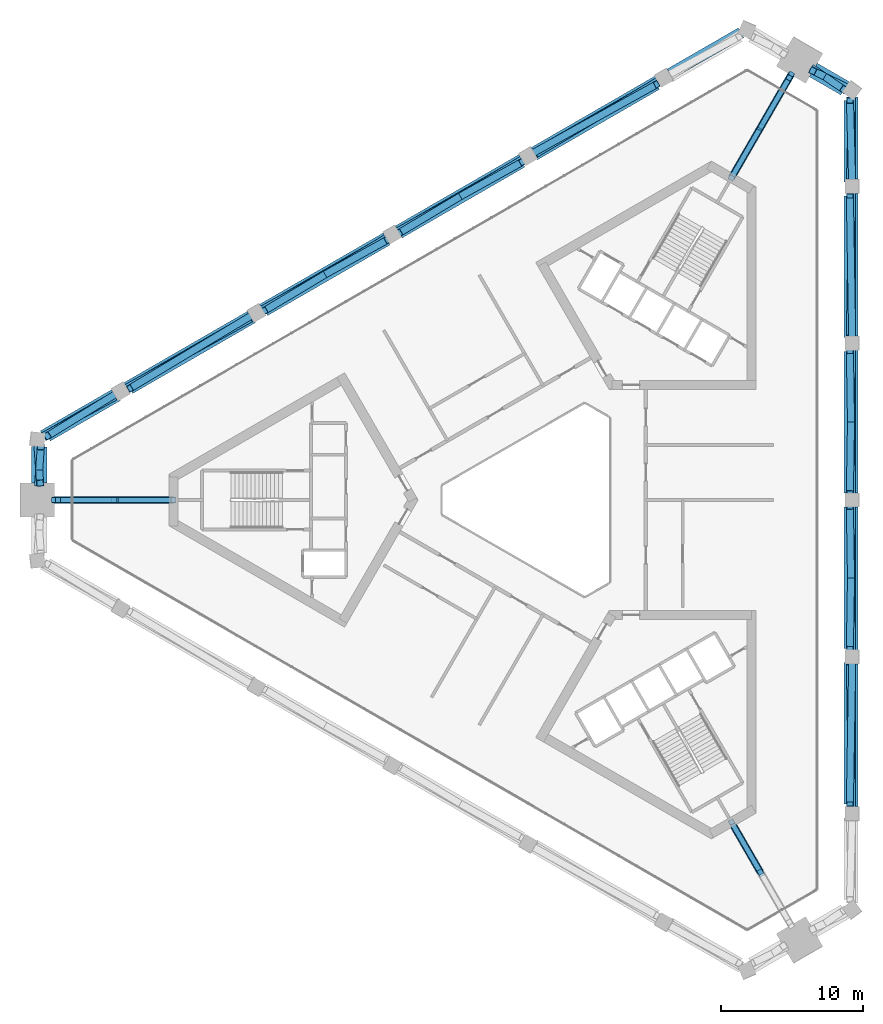
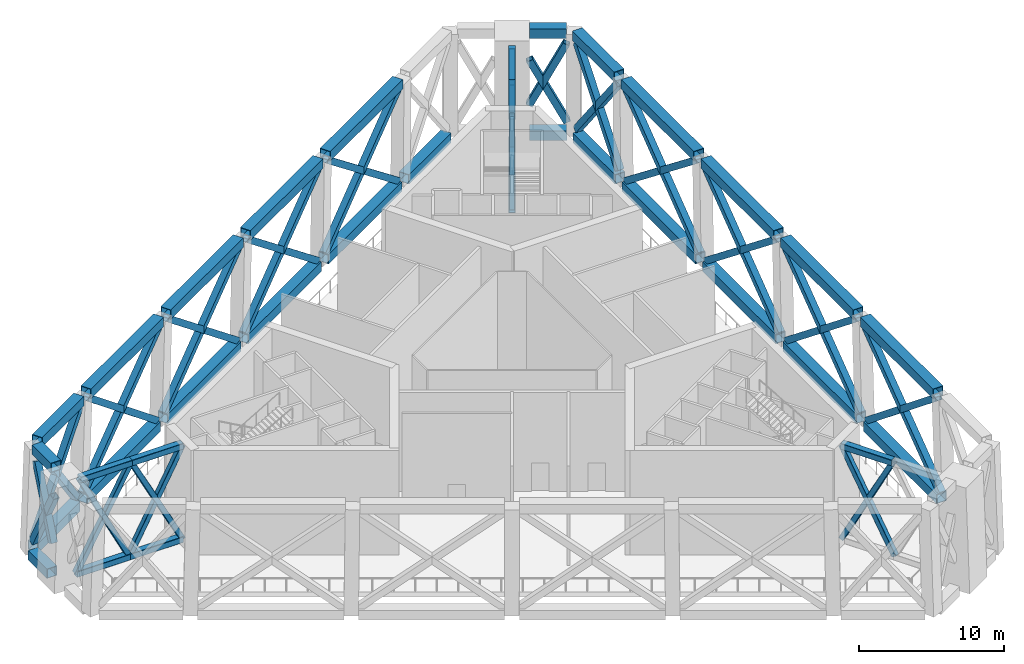
# One storey, part 2 of 8: 68 members.
"""IFC4 building model written with IfcOpenShell, lengths in metres."""

from ifc_helpers import new_model, si_unit, direction, frame, origin, origin_2d, place, context, subcontext, project, spatial, hollow_rectangle, extrude, material, material_profile, profile_set, type_object, element, save


model = new_model("IFC4")

# Units and contexts
model_context = context("Model", 3, precision=1e-05, world=origin(), true_north=direction((0.0, 1.0)))
body_context = subcontext(model_context, "Body", "Model", "MODEL_VIEW")
ifc_project = project(units=[si_unit("LENGTHUNIT", "METRE"), si_unit("AREAUNIT", "SQUARE_METRE"), si_unit("VOLUMEUNIT", "CUBIC_METRE"), si_unit("PLANEANGLEUNIT", "RADIAN"), si_unit("MASSUNIT", "GRAM", prefix="KILO")], contexts=[model_context])

# Site, building, storey
site_placement = place(None, origin())
site = spatial("IfcSite", under=ifc_project, at=site_placement, CompositionType="ELEMENT")
building_placement = place(site_placement, origin())
building = spatial("IfcBuilding", under=site, at=building_placement, Name="Jabali Bay Hotel Tower and Convention Centre", CompositionType="ELEMENT")
storey_placement = place(building_placement, frame((0.0, 0.0, 147.5)))
storey = spatial("IfcBuildingStorey", under=building, at=storey_placement, Name="L36", CompositionType="ELEMENT", Elevation=147.5)

# Members
ifc_material = material(Name="Steel Q420GJC", Category="steel")
ifc_material_profile_1 = material_profile(ifc_material, hollow_rectangle(XDim=0.5, YDim=0.5, WallThickness=0.030029296875, at=origin_2d()), Name="Belt brace 500x500x30")
ifc_profile_set_1 = profile_set([ifc_material_profile_1], Name="Steel Q420GJC")
member_type_1 = type_object("IfcMemberType", Name="Belt brace 500x500x30", PredefinedType="BRACE", material=ifc_profile_set_1)
member_1_placement = place(storey_placement, frame((82.935302734375, 109.603515625, 0.3935546875), z_axis=(-0.674235992286, -0.403678615509, 0.618424936501), x_axis=(0.513688059021, -0.85797702651, 0.0)))
element("IfcMember", 1, at=member_1_placement, inside=storey, type_object=member_type_1, Name="Belt brace T3 F1.1-F1.2 x1", PredefinedType="BRACE", context=body_context, shape_type="SweptSolid", body=[
    extrude(hollow_rectangle(XDim=0.5, YDim=0.5, WallThickness=0.030029296875, at=origin_2d()), origin(), (0.0, 0.0, 1.0), 12.95703125),
])
member_2_placement = place(storey_placement, frame((74.19970703125, 104.559814453125, 0.403564453125), z_axis=(0.680100698649, 0.378021327224, 0.628142432782), x_axis=(-0.485827163306, 0.874054899531, 0.0)))
element("IfcMember", 2, at=member_2_placement, inside=storey, type_object=member_type_1, Name="Belt brace T3 F1.1-F1.2 x2", PredefinedType="BRACE", context=body_context, shape_type="SweptSolid", body=[
    extrude(hollow_rectangle(XDim=0.5, YDim=0.5, WallThickness=0.030029296875, at=origin_2d()), origin(), (0.0, 0.0, 1.0), 12.724365234375),
])
member_3_placement = place(storey_placement, frame((73.333740234375, 104.06005859375, 0.396728515625), z_axis=(-0.671991516714, -0.402474580617, 0.621644282063), x_axis=(0.513819412398, -0.857898368948, 0.0)))
element("IfcMember", 3, at=member_3_placement, inside=storey, type_object=member_type_1, Name="Belt brace T3 F1.2-F1.3 x1", PredefinedType="BRACE", context=body_context, shape_type="SweptSolid", body=[
    extrude(hollow_rectangle(XDim=0.5, YDim=0.5, WallThickness=0.030029296875, at=origin_2d()), origin(), (0.0, 0.0, 1.0), 12.87939453125),
])
member_4_placement = place(storey_placement, frame((64.59814453125, 99.0166015625, 0.400146484375), z_axis=(0.682335261917, 0.379376040843, 0.624893918981), x_axis=(-0.485937417008, 0.873993607958, 0.0)))
element("IfcMember", 4, at=member_4_placement, inside=storey, type_object=member_type_1, Name="Belt brace T3 F1.2-F1.3 x2", PredefinedType="BRACE", context=body_context, shape_type="SweptSolid", body=[
    extrude(hollow_rectangle(XDim=0.5, YDim=0.5, WallThickness=0.030029296875, at=origin_2d()), origin(), (0.0, 0.0, 1.0), 12.8017578125),
])
member_5_placement = place(storey_placement, frame((63.732177734375, 98.5166015625, 0.400146484375), z_axis=(-0.669723943312, -0.401227918542, 0.624888787815), x_axis=(0.513924475199, -0.857835435146, 0.0)))
element("IfcMember", 5, at=member_5_placement, inside=storey, type_object=member_type_1, Name="Belt brace T3 F1.3-F1.4 x1", PredefinedType="BRACE", context=body_context, shape_type="SweptSolid", body=[
    extrude(hollow_rectangle(XDim=0.5, YDim=0.5, WallThickness=0.030029296875, at=origin_2d()), origin(), (0.0, 0.0, 1.0), 12.802001953125),
])
member_6_placement = place(storey_placement, frame((54.99658203125, 93.47314453125, 0.396728515625), z_axis=(0.684542449385, 0.380733138455, 0.621646131068), x_axis=(-0.48606409793, 0.873923161785, 0.0)))
element("IfcMember", 6, at=member_6_placement, inside=storey, type_object=member_type_1, Name="Belt brace T3 F1.3-F1.4 x2", PredefinedType="BRACE", context=body_context, shape_type="SweptSolid", body=[
    extrude(hollow_rectangle(XDim=0.5, YDim=0.5, WallThickness=0.030029296875, at=origin_2d()), origin(), (0.0, 0.0, 1.0), 12.879150390625),
])
member_7_placement = place(storey_placement, frame((54.130615234375, 92.97314453125, 0.403564453125), z_axis=(-0.667417396872, -0.399989951778, 0.628141748995), x_axis=(0.514060535128, -0.857753907729, 0.0)))
element("IfcMember", 7, at=member_7_placement, inside=storey, type_object=member_type_1, Name="Belt brace T3 F1.4-F1.5 x1", PredefinedType="BRACE", context=body_context, shape_type="SweptSolid", body=[
    extrude(hollow_rectangle(XDim=0.5, YDim=0.5, WallThickness=0.030029296875, at=origin_2d()), origin(), (0.0, 0.0, 1.0), 12.724365234375),
])
member_8_placement = place(storey_placement, frame((45.394775390625, 87.9296875, 0.3935546875), z_axis=(0.686721551989, 0.382062583265, 0.618418703228), x_axis=(-0.486178247297, 0.873859663707, 0.0)))
element("IfcMember", 8, at=member_8_placement, inside=storey, type_object=member_type_1, Name="Belt brace T3 F1.4-F1.5 x2", PredefinedType="BRACE", context=body_context, shape_type="SweptSolid", body=[
    extrude(hollow_rectangle(XDim=0.5, YDim=0.5, WallThickness=0.030029296875, at=origin_2d()), origin(), (0.0, 0.0, 1.0), 12.95703125),
])
member_9_placement = place(storey_placement, frame((44.53173828125, 87.4248046875, 0.671875), z_axis=(-0.508670400837, -0.312379266454, 0.802292725382), x_axis=(0.52330900872, -0.852142993512, 0.0)))
element("IfcMember", 9, at=member_9_placement, inside=storey, type_object=member_type_1, Name="Belt brace T3 F1.5-V3 x1", PredefinedType="BRACE", context=body_context, shape_type="SweptSolid", body=[
    extrude(hollow_rectangle(XDim=0.5, YDim=0.5, WallThickness=0.030029296875, at=origin_2d()), origin(), (0.0, 0.0, 1.0), 9.29345703125),
])
member_10_placement = place(storey_placement, frame((39.507568359375, 84.525146484375, 0.62939453125), z_axis=(0.546401618231, 0.29721915907, 0.783010883115), x_axis=(-0.477838158357, 0.878447889415, 0.0)))
element("IfcMember", 10, at=member_10_placement, inside=storey, type_object=member_type_1, Name="Belt brace T3 F1.5-V3 x2", PredefinedType="BRACE", context=body_context, shape_type="SweptSolid", body=[
    extrude(hollow_rectangle(XDim=0.5, YDim=0.5, WallThickness=0.030029296875, at=origin_2d()), origin(), (0.0, 0.0, 1.0), 9.631103515625),
])
member_11_placement = place(storey_placement, frame((39.104248046875, 83.78759765625, 1.02392578125), z_axis=(0.031676253401, -0.437693230588, 0.898566219523), x_axis=(0.997391468623, 0.072182119101, 0.0)))
element("IfcMember", 11, at=member_11_placement, inside=storey, type_object=member_type_1, Name="Belt brace T3 V3-M0 x1", PredefinedType="BRACE", context=body_context, shape_type="SweptSolid", body=[
    extrude(hollow_rectangle(XDim=0.5, YDim=0.5, WallThickness=0.030029296875, at=origin_2d()), origin(), (0.0, 0.0, 1.0), 5.919189453125),
])
member_12_placement = place(storey_placement, frame((39.1552734375, 81.19677734375, 2.472412109375), z_axis=(0.031717834213, 0.435508667413, 0.899625577449), x_axis=(-0.997358443091, 0.072637015324, 0.0)))
element("IfcMember", 12, at=member_12_placement, inside=storey, type_object=member_type_1, Name="Belt brace T3 V3-M0 x2", PredefinedType="BRACE", context=body_context, shape_type="SweptSolid", body=[
    extrude(hollow_rectangle(XDim=0.5, YDim=0.5, WallThickness=0.030029296875, at=origin_2d()), origin(), (0.0, 0.0, 1.0), 5.888427734375),
])
member_13_placement = place(storey_placement, frame((96.669921875, 58.325927734375, 0.3935546875), z_axis=(-0.012492476758, 0.785744756114, 0.618424705412), x_axis=(-0.999873636456, -0.015896890266, 0.0)))
element("IfcMember", 13, at=member_13_placement, inside=storey, type_object=member_type_1, Name="Belt brace T3 F0.1-F0.2 x1", PredefinedType="BRACE", context=body_context, shape_type="SweptSolid", body=[
    extrude(hollow_rectangle(XDim=0.5, YDim=0.5, WallThickness=0.030029296875, at=origin_2d()), origin(), (0.0, 0.0, 1.0), 12.95703125),
])
member_14_placement = place(storey_placement, frame((96.669677734375, 68.4130859375, 0.403564453125), z_axis=(-0.012682599736, -0.777994030412, 0.628143646237), x_axis=(0.999867154301, -0.016299501554, 0.0)))
element("IfcMember", 14, at=member_14_placement, inside=storey, type_object=member_type_1, Name="Belt brace T3 F0.1-F0.2 x2", PredefinedType="BRACE", context=body_context, shape_type="SweptSolid", body=[
    extrude(hollow_rectangle(XDim=0.5, YDim=0.5, WallThickness=0.030029296875, at=origin_2d()), origin(), (0.0, 0.0, 1.0), 12.724365234375),
])
member_15_placement = place(storey_placement, frame((96.669677734375, 69.4130859375, 0.396728515625), z_axis=(-0.012549009825, 0.783194697806, 0.621649891564), x_axis=(-0.999871658878, -0.016020791901, 0.0)))
element("IfcMember", 15, at=member_15_placement, inside=storey, type_object=member_type_1, Name="Belt brace T3 F0.2-F0.3 x1", PredefinedType="BRACE", context=body_context, shape_type="SweptSolid", body=[
    extrude(hollow_rectangle(XDim=0.5, YDim=0.5, WallThickness=0.030029296875, at=origin_2d()), origin(), (0.0, 0.0, 1.0), 12.879150390625),
])
for number, where, z_axis, x_axis, name in (
    (16, (96.669677734375, 79.5, 0.400146484375), (-0.012605825576, -0.780607643656, 0.624894230912), (0.999869634684, -0.016146629252, 0.0), "Belt brace T3 F0.2-F0.3 x2"),
    (17, (96.669677734375, 80.5, 0.400146484375), (-0.012605825576, 0.780607643656, 0.624894230912), (-0.999869634684, -0.016146629252, 0.0), "Belt brace T3 F0.3-F0.4 x1"),
):
    element("IfcMember", number, at=place(storey_placement, frame(where, z_axis=z_axis, x_axis=x_axis)), inside=storey, type_object=member_type_1, Name=name, PredefinedType="BRACE", context=body_context, shape_type="SweptSolid", body=[
        extrude(hollow_rectangle(XDim=0.5, YDim=0.5, WallThickness=0.030029296875, at=origin_2d()), origin(), (0.0, 0.0, 1.0), 12.8017578125),
    ])
member_16_placement = place(storey_placement, frame((96.669677734375, 90.5869140625, 0.396728515625), z_axis=(-0.012549009825, -0.783194697806, 0.621649891564), x_axis=(0.999871658878, -0.016020791901, 0.0)))
element("IfcMember", 18, at=member_16_placement, inside=storey, type_object=member_type_1, Name="Belt brace T3 F0.3-F0.4 x2", PredefinedType="BRACE", context=body_context, shape_type="SweptSolid", body=[
    extrude(hollow_rectangle(XDim=0.5, YDim=0.5, WallThickness=0.030029296875, at=origin_2d()), origin(), (0.0, 0.0, 1.0), 12.879150390625),
])
member_17_placement = place(storey_placement, frame((96.669677734375, 91.5869140625, 0.403564453125), z_axis=(-0.012682599736, 0.777994030412, 0.628143646237), x_axis=(-0.999867154301, -0.016299501554, 0.0)))
element("IfcMember", 19, at=member_17_placement, inside=storey, type_object=member_type_1, Name="Belt brace T3 F0.4-F0.5 x1", PredefinedType="BRACE", context=body_context, shape_type="SweptSolid", body=[
    extrude(hollow_rectangle(XDim=0.5, YDim=0.5, WallThickness=0.030029296875, at=origin_2d()), origin(), (0.0, 0.0, 1.0), 12.724365234375),
])
member_18_placement = place(storey_placement, frame((96.669921875, 101.674072265625, 0.3935546875), z_axis=(-0.012492476758, -0.785744756114, 0.618424705412), x_axis=(0.999873636456, -0.015896890266, 0.0)))
element("IfcMember", 20, at=member_18_placement, inside=storey, type_object=member_type_1, Name="Belt brace T3 F0.4-F0.5 x2", PredefinedType="BRACE", context=body_context, shape_type="SweptSolid", body=[
    extrude(hollow_rectangle(XDim=0.5, YDim=0.5, WallThickness=0.030029296875, at=origin_2d()), origin(), (0.0, 0.0, 1.0), 12.95703125),
])
member_19_placement = place(storey_placement, frame((96.664306640625, 102.673828125, 0.671875), z_axis=(-0.016208560649, 0.596721969435, 0.802284347196), x_axis=(-0.999631298749, -0.027152652931, 0.0)))
element("IfcMember", 21, at=member_19_placement, inside=storey, type_object=member_type_1, Name="Belt brace T3 F0.5-V1 x1", PredefinedType="BRACE", context=body_context, shape_type="SweptSolid", body=[
    extrude(hollow_rectangle(XDim=0.5, YDim=0.5, WallThickness=0.030029296875, at=origin_2d()), origin(), (0.0, 0.0, 1.0), 9.29345703125),
])
member_20_placement = place(storey_placement, frame((96.6650390625, 108.474853515625, 0.62939453125), z_axis=(-0.01579246236, -0.621812362265, 0.783007014187), x_axis=(0.999677640137, -0.025389285357, 0.0)))
element("IfcMember", 22, at=member_20_placement, inside=storey, type_object=member_type_1, Name="Belt brace T3 F0.5-V1 x2", PredefinedType="BRACE", context=body_context, shape_type="SweptSolid", body=[
    extrude(hollow_rectangle(XDim=0.5, YDim=0.5, WallThickness=0.030029296875, at=origin_2d()), origin(), (0.0, 0.0, 1.0), 9.631103515625),
])
member_21_placement = place(storey_placement, frame((96.227783203125, 109.19287109375, 1.02392578125), z_axis=(-0.394847326902, 0.191422380043, 0.898583919763), x_axis=(-0.436238912598, -0.899830879185, 0.0)))
element("IfcMember", 23, at=member_21_placement, inside=storey, type_object=member_type_1, Name="Belt brace T3 V1-M1 x1", PredefinedType="BRACE", context=body_context, shape_type="SweptSolid", body=[
    extrude(hollow_rectangle(XDim=0.5, YDim=0.5, WallThickness=0.030029296875, at=origin_2d()), origin(), (0.0, 0.0, 1.0), 5.919189453125),
])
member_22_placement = place(storey_placement, frame((93.958740234375, 110.44384765625, 2.472412109375), z_axis=(0.361332250692, -0.24520010678, 0.899619870971), x_axis=(0.561517671197, 0.827464745432, 0.0)))
element("IfcMember", 24, at=member_22_placement, inside=storey, type_object=member_type_1, Name="Belt brace T3 V1-M1 x2", PredefinedType="BRACE", context=body_context, shape_type="SweptSolid", body=[
    extrude(hollow_rectangle(XDim=0.5, YDim=0.5, WallThickness=0.030029296875, at=origin_2d()), origin(), (0.0, 0.0, 1.0), 5.888427734375),
])
ifc_material_profile_2 = material_profile(ifc_material, hollow_rectangle(XDim=0.800048828125, YDim=0.800048828125, WallThickness=0.0400390625, at=origin_2d()), Name="Belt chord 800x800x40")
ifc_profile_set_2 = profile_set([ifc_material_profile_2], Name="Steel Q420GJC")
member_type_2 = type_object("IfcMemberType", Name="Belt chord 800x800x40", PredefinedType="CHORD", material=ifc_profile_set_2)
member_23_placement = place(storey_placement, frame((88.82080078125, 113.010986328125, 0.0), z_axis=(-0.866017369001, -0.500013916395, 0.0), x_axis=(0.500013916395, -0.866017369001, 0.0)))
element("IfcMember", 25, at=member_23_placement, inside=storey, type_object=member_type_2, Name="Belt chord T3 V2-F1.1", PredefinedType="CHORD", context=body_context, shape_type="SweptSolid", body=[
    extrude(hollow_rectangle(XDim=0.800048828125, YDim=0.800048828125, WallThickness=0.0400390625, at=origin_2d()), origin(), (0.0, 0.0, 1.0), 5.800537109375),
])
for number, where, z_axis, x_axis, name in (
    (26, (82.93115234375, 109.610595703125, 0.0), (-0.866010653431, -0.500025547491, 0.0), (0.500025547491, -0.866010653431, 0.0), "Belt chord T3 F1.1-F1.2"),
    (27, (73.32958984375, 104.06689453125, 0.0), (-0.866027185264, -0.499996914373, 0.0), (0.499996914373, -0.866027185264, 0.0), "Belt chord T3 F1.2-F1.3"),
    (28, (63.72802734375, 98.5234375, 0.0), (-0.866027185264, -0.499996914373, 0.0), (0.499996914373, -0.866027185264, 0.0), "Belt chord T3 F1.3-F1.4"),
    (29, (54.12646484375, 92.97998046875, 0.0), (-0.866027185264, -0.499996914373, 0.0), (0.499996914373, -0.866027185264, 0.0), "Belt chord T3 F1.4-F1.5"),
):
    element("IfcMember", number, at=place(storey_placement, frame(where, z_axis=z_axis, x_axis=x_axis)), inside=storey, type_object=member_type_2, Name=name, PredefinedType="CHORD", context=body_context, shape_type="SweptSolid", body=[
        extrude(hollow_rectangle(XDim=0.800048828125, YDim=0.800048828125, WallThickness=0.0400390625, at=origin_2d()), origin(), (0.0, 0.0, 1.0), 10.0869140625),
    ])
member_24_placement = place(storey_placement, frame((44.52490234375, 87.4365234375, 0.0), z_axis=(-0.86602789119, -0.499995691662, 0.0), x_axis=(0.499995691662, -0.86602789119, 0.0)))
element("IfcMember", 30, at=member_24_placement, inside=storey, type_object=member_type_2, Name="Belt chord T3 F1.5-V3", PredefinedType="CHORD", context=body_context, shape_type="SweptSolid", body=[
    extrude(hollow_rectangle(XDim=0.800048828125, YDim=0.800048828125, WallThickness=0.0400390625, at=origin_2d()), origin(), (0.0, 0.0, 1.0), 5.80078125),
])
member_25_placement = place(storey_placement, frame((39.068359375, 83.7861328125, 0.0), z_axis=(0.0, -1.0, 0.0), x_axis=(1.0, 0.0, 0.0)))
element("IfcMember", 31, at=member_25_placement, inside=storey, type_object=member_type_2, Name="Belt chord T3 V3-M0", PredefinedType="CHORD", context=body_context, shape_type="SweptSolid", body=[
    extrude(hollow_rectangle(XDim=0.800048828125, YDim=0.800048828125, WallThickness=0.0400390625, at=origin_2d()), origin(), (0.0, 0.0, 1.0), 2.586181640625),
])
for number, where, z_axis, x_axis, name in (
    (32, (96.677734375, 58.326171875, 0.0), (0.0, 1.0, 0.0), (-1.0, 0.0, 0.0), "Belt chord T3 F0.1-F0.2"),
    (33, (96.677734375, 69.4130859375, 0.0), (0.0, 1.0, 0.0), (-1.0, 0.0, 0.0), "Belt chord T3 F0.2-F0.3"),
    (34, (96.677734375, 80.5, 0.0), (0.0, 1.0, 0.0), (-1.0, 0.0, 0.0), "Belt chord T3 F0.3-F0.4"),
    (35, (96.677734375, 91.5869140625, 0.0), (0.0, 1.0, 0.0), (-1.0, 0.0, 0.0), "Belt chord T3 F0.4-F0.5"),
):
    element("IfcMember", number, at=place(storey_placement, frame(where, z_axis=z_axis, x_axis=x_axis)), inside=storey, type_object=member_type_2, Name=name, PredefinedType="CHORD", context=body_context, shape_type="SweptSolid", body=[
        extrude(hollow_rectangle(XDim=0.800048828125, YDim=0.800048828125, WallThickness=0.0400390625, at=origin_2d()), origin(), (0.0, 0.0, 1.0), 10.0869140625),
    ])
member_26_placement = place(storey_placement, frame((96.677734375, 102.673828125, 0.0), z_axis=(0.0, 1.0, 0.0), x_axis=(-1.0, 0.0, 0.0)))
element("IfcMember", 36, at=member_26_placement, inside=storey, type_object=member_type_2, Name="Belt chord T3 F0.5-V1", PredefinedType="CHORD", context=body_context, shape_type="SweptSolid", body=[
    extrude(hollow_rectangle(XDim=0.800048828125, YDim=0.800048828125, WallThickness=0.0400390625, at=origin_2d()), origin(), (0.0, 0.0, 1.0), 5.80078125),
])
member_27_placement = place(storey_placement, frame((96.244873046875, 109.224609375, 0.0), z_axis=(-0.866009517829, 0.500027514273, 0.0), x_axis=(-0.500027514273, -0.866009517829, 0.0)))
element("IfcMember", 37, at=member_27_placement, inside=storey, type_object=member_type_2, Name="Belt chord T3 V1-M1", PredefinedType="CHORD", context=body_context, shape_type="SweptSolid", body=[
    extrude(hollow_rectangle(XDim=0.800048828125, YDim=0.800048828125, WallThickness=0.0400390625, at=origin_2d()), origin(), (0.0, 0.0, 1.0), 2.586181640625),
])
member_28_placement = place(storey_placement, frame((82.857421875, 109.36279296875, 8.800048828125), z_axis=(-0.86601836852, -0.500012185238, 0.0), x_axis=(0.500012185238, -0.86601836852, 0.0)))
element("IfcMember", 38, at=member_28_placement, inside=storey, type_object=member_type_2, Name="Belt chord T3 F1.1-F1.2", PredefinedType="CHORD", context=body_context, shape_type="SweptSolid", body=[
    extrude(hollow_rectangle(XDim=0.800048828125, YDim=0.800048828125, WallThickness=0.0400390625, at=origin_2d()), origin(), (0.0, 0.0, 1.0), 9.992919921875),
])
for number, where, z_axis, x_axis, name in (
    (39, (73.337158203125, 103.8662109375, 8.800048828125), (-0.866024476463, -0.500001606164, 0.0), (0.500001606164, -0.866024476463, 0.0), "Belt chord T3 F1.2-F1.3"),
    (40, (63.81689453125, 98.36962890625, 8.800048828125), (-0.866024476463, -0.500001606164, 0.0), (0.500001606164, -0.866024476463, 0.0), "Belt chord T3 F1.3-F1.4"),
    (41, (54.296630859375, 92.873046875, 8.800048828125), (-0.866024476463, -0.500001606164, 0.0), (0.500001606164, -0.866024476463, 0.0), "Belt chord T3 F1.4-F1.5"),
):
    element("IfcMember", number, at=place(storey_placement, frame(where, z_axis=z_axis, x_axis=x_axis)), inside=storey, type_object=member_type_2, Name=name, PredefinedType="CHORD", context=body_context, shape_type="SweptSolid", body=[
        extrude(hollow_rectangle(XDim=0.800048828125, YDim=0.800048828125, WallThickness=0.0400390625, at=origin_2d()), origin(), (0.0, 0.0, 1.0), 9.9931640625),
    ])
member_29_placement = place(storey_placement, frame((44.7763671875, 87.37646484375, 8.800048828125), z_axis=(-0.866035958826, -0.499981717686, 0.0), x_axis=(0.499981717686, -0.866035958826, 0.0)))
element("IfcMember", 42, at=member_29_placement, inside=storey, type_object=member_type_2, Name="Belt chord T3 F1.5-V3", PredefinedType="CHORD", context=body_context, shape_type="SweptSolid", body=[
    extrude(hollow_rectangle(XDim=0.800048828125, YDim=0.800048828125, WallThickness=0.0400390625, at=origin_2d()), origin(), (0.0, 0.0, 1.0), 5.733154296875),
])
member_30_placement = place(storey_placement, frame((39.378173828125, 83.760009765625, 8.800048828125), z_axis=(0.0, -1.0, 0.0), x_axis=(1.0, 0.0, 0.0)))
element("IfcMember", 43, at=member_30_placement, inside=storey, type_object=member_type_2, Name="Belt chord T3 V3-M0", PredefinedType="CHORD", context=body_context, shape_type="SweptSolid", body=[
    extrude(hollow_rectangle(XDim=0.800048828125, YDim=0.800048828125, WallThickness=0.0400390625, at=origin_2d()), origin(), (0.0, 0.0, 1.0), 2.56005859375),
])
for number, where, z_axis, x_axis, name in (
    (44, (96.500244140625, 58.513671875, 8.800048828125), (0.0, 1.0, 0.0), (-1.0, 0.0, 0.0), "Belt chord T3 F0.1-F0.2"),
    (45, (96.500244140625, 69.5068359375, 8.800048828125), (0.0, 1.0, 0.0), (-1.0, 0.0, 0.0), "Belt chord T3 F0.2-F0.3"),
    (46, (96.500244140625, 80.5, 8.800048828125), (0.0, 1.0, 0.0), (-1.0, 0.0, 0.0), "Belt chord T3 F0.3-F0.4"),
    (47, (96.500244140625, 91.4931640625, 8.800048828125), (0.0, 1.0, 0.0), (-1.0, 0.0, 0.0), "Belt chord T3 F0.4-F0.5"),
):
    element("IfcMember", number, at=place(storey_placement, frame(where, z_axis=z_axis, x_axis=x_axis)), inside=storey, type_object=member_type_2, Name=name, PredefinedType="CHORD", context=body_context, shape_type="SweptSolid", body=[
        extrude(hollow_rectangle(XDim=0.800048828125, YDim=0.800048828125, WallThickness=0.0400390625, at=origin_2d()), origin(), (0.0, 0.0, 1.0), 9.9931640625),
    ])
member_31_placement = place(storey_placement, frame((96.500244140625, 102.486328125, 8.800048828125), z_axis=(0.0, 1.0, 0.0), x_axis=(-1.0, 0.0, 0.0)))
element("IfcMember", 48, at=member_31_placement, inside=storey, type_object=member_type_2, Name="Belt chord T3 F0.5-V1", PredefinedType="CHORD", context=body_context, shape_type="SweptSolid", body=[
    extrude(hollow_rectangle(XDim=0.800048828125, YDim=0.800048828125, WallThickness=0.0400390625, at=origin_2d()), origin(), (0.0, 0.0, 1.0), 5.73291015625),
])
member_32_placement = place(storey_placement, frame((96.067138671875, 108.96923828125, 8.800048828125), z_axis=(-0.866022009101, 0.500005879718, 0.0), x_axis=(-0.500005879718, -0.866022009101, 0.0)))
element("IfcMember", 49, at=member_32_placement, inside=storey, type_object=member_type_2, Name="Belt chord T3 V1-M1", PredefinedType="CHORD", context=body_context, shape_type="SweptSolid", body=[
    extrude(hollow_rectangle(XDim=0.800048828125, YDim=0.800048828125, WallThickness=0.0400390625, at=origin_2d()), origin(), (0.0, 0.0, 1.0), 2.56005859375),
])
ifc_material_profile_3 = material_profile(ifc_material, hollow_rectangle(XDim=0.39990234375, YDim=0.39990234375, WallThickness=0.011962890625, InnerFilletRadius=0.01806640625, OuterFilletRadius=0.030029296875, at=origin_2d()), Name="Outrigger brace 400x400x12")
ifc_profile_set_3 = profile_set([ifc_material_profile_3], Name="Steel Q420GJC")
member_type_3 = type_object("IfcMemberType", Name="Outrigger brace 400x400x12", PredefinedType="BRACE", material=ifc_profile_set_3)
member_33_placement = place(storey_placement, frame((48.721923828125, 80.0, 0.25), z_axis=(-0.461546443565, 0.0, 0.887116046768), x_axis=(0.0, -1.0, 0.0)))
element("IfcMember", 50, at=member_33_placement, inside=storey, type_object=member_type_3, Name="Outrigger brace T3 1.1x1", PredefinedType="BRACE", context=body_context, shape_type="SweptSolid", body=[
    extrude(hollow_rectangle(XDim=0.39990234375, YDim=0.39990234375, WallThickness=0.011962890625, InnerFilletRadius=0.01806640625, OuterFilletRadius=0.030029296875, at=origin_2d()), origin(), (0.0, 0.0, 1.0), 8.84912109375),
])
member_34_placement = place(storey_placement, frame((44.49951171875, 80.0, 0.25), z_axis=(0.47370287716, 0.0, 0.880684724615), x_axis=(0.0, 1.0, 0.0)))
element("IfcMember", 51, at=member_34_placement, inside=storey, type_object=member_type_3, Name="Outrigger brace T3 1.1x2", PredefinedType="BRACE", context=body_context, shape_type="SweptSolid", body=[
    extrude(hollow_rectangle(XDim=0.39990234375, YDim=0.39990234375, WallThickness=0.011962890625, InnerFilletRadius=0.01806640625, OuterFilletRadius=0.030029296875, at=origin_2d()), origin(), (0.0, 0.0, 1.0), 8.91357421875),
])
member_35_placement = place(storey_placement, frame((44.49951171875, 80.0, 0.25), z_axis=(-0.449102149958, 0.0, 0.893480418869), x_axis=(0.0, -1.0, 0.0)))
element("IfcMember", 52, at=member_35_placement, inside=storey, type_object=member_type_3, Name="Outrigger brace T3 1.2x1", PredefinedType="BRACE", context=body_context, shape_type="SweptSolid", body=[
    extrude(hollow_rectangle(XDim=0.39990234375, YDim=0.39990234375, WallThickness=0.011962890625, InnerFilletRadius=0.01806640625, OuterFilletRadius=0.030029296875, at=origin_2d()), origin(), (0.0, 0.0, 1.0), 8.785888671875),
])
member_36_placement = place(storey_placement, frame((40.277099609375, 80.0, 0.25), z_axis=(0.485594454754, 0.0, 0.874184205709), x_axis=(0.0, 1.0, 0.0)))
element("IfcMember", 53, at=member_36_placement, inside=storey, type_object=member_type_3, Name="Outrigger brace T3 1.2x2", PredefinedType="BRACE", context=body_context, shape_type="SweptSolid", body=[
    extrude(hollow_rectangle(XDim=0.39990234375, YDim=0.39990234375, WallThickness=0.011962890625, InnerFilletRadius=0.01806640625, OuterFilletRadius=0.030029296875, at=origin_2d()), origin(), (0.0, 0.0, 1.0), 8.97998046875),
])
member_37_placement = place(storey_placement, frame((88.13916015625, 102.757568359375, 0.25), z_axis=(0.230762042116, 0.399695086578, 0.887126100216), x_axis=(-0.866027302461, 0.499996711381, 0.0)))
element("IfcMember", 54, at=member_37_placement, inside=storey, type_object=member_type_3, Name="Outrigger brace T3 2.1x1", PredefinedType="BRACE", context=body_context, shape_type="SweptSolid", body=[
    extrude(hollow_rectangle(XDim=0.39990234375, YDim=0.39990234375, WallThickness=0.011962890625, InnerFilletRadius=0.01806640625, OuterFilletRadius=0.030029296875, at=origin_2d()), origin(), (0.0, 0.0, 1.0), 8.848876953125),
])
member_38_placement = place(storey_placement, frame((90.250244140625, 106.414306640625, 0.25), z_axis=(-0.236838270768, -0.410242120916, 0.880686684199), x_axis=(0.866039232254, -0.499976047623, 0.0)))
element("IfcMember", 55, at=member_38_placement, inside=storey, type_object=member_type_3, Name="Outrigger brace T3 2.1x2", PredefinedType="BRACE", context=body_context, shape_type="SweptSolid", body=[
    extrude(hollow_rectangle(XDim=0.39990234375, YDim=0.39990234375, WallThickness=0.011962890625, InnerFilletRadius=0.01806640625, OuterFilletRadius=0.030029296875, at=origin_2d()), origin(), (0.0, 0.0, 1.0), 8.91357421875),
])
member_39_placement = place(storey_placement, frame((90.250244140625, 106.414306640625, 0.25), z_axis=(0.224550353175, 0.388940885211, 0.893477546836), x_axis=(-0.866030004343, 0.499992031514, 0.0)))
element("IfcMember", 56, at=member_39_placement, inside=storey, type_object=member_type_3, Name="Outrigger brace T3 2.2x1", PredefinedType="BRACE", context=body_context, shape_type="SweptSolid", body=[
    extrude(hollow_rectangle(XDim=0.39990234375, YDim=0.39990234375, WallThickness=0.011962890625, InnerFilletRadius=0.01806640625, OuterFilletRadius=0.030029296875, at=origin_2d()), origin(), (0.0, 0.0, 1.0), 8.785888671875),
])
member_40_placement = place(storey_placement, frame((92.361572265625, 110.07080078125, 0.25), z_axis=(-0.242810241025, -0.420533961277, 0.874182117334), x_axis=(0.866012165801, -0.500022928159, 0.0)))
element("IfcMember", 57, at=member_40_placement, inside=storey, type_object=member_type_3, Name="Outrigger brace T3 2.2x2", PredefinedType="BRACE", context=body_context, shape_type="SweptSolid", body=[
    extrude(hollow_rectangle(XDim=0.39990234375, YDim=0.39990234375, WallThickness=0.011962890625, InnerFilletRadius=0.01806640625, OuterFilletRadius=0.030029296875, at=origin_2d()), origin(), (0.0, 0.0, 1.0), 8.97998046875),
])
member_41_placement = place(storey_placement, frame((88.13916015625, 57.242431640625, 0.25), z_axis=(0.230762042116, -0.399695086578, 0.887126100216), x_axis=(0.866027302461, 0.499996711381, 0.0)))
element("IfcMember", 58, at=member_41_placement, inside=storey, type_object=member_type_3, Name="Outrigger brace T3 3.1x1", PredefinedType="BRACE", context=body_context, shape_type="SweptSolid", body=[
    extrude(hollow_rectangle(XDim=0.39990234375, YDim=0.39990234375, WallThickness=0.011962890625, InnerFilletRadius=0.01806640625, OuterFilletRadius=0.030029296875, at=origin_2d()), origin(), (0.0, 0.0, 1.0), 8.848876953125),
])
member_42_placement = place(storey_placement, frame((90.250244140625, 53.585693359375, 0.25), z_axis=(-0.236838270768, 0.410242120916, 0.880686684199), x_axis=(-0.866039232254, -0.499976047623, 0.0)))
element("IfcMember", 59, at=member_42_placement, inside=storey, type_object=member_type_3, Name="Outrigger brace T3 3.1x2", PredefinedType="BRACE", context=body_context, shape_type="SweptSolid", body=[
    extrude(hollow_rectangle(XDim=0.39990234375, YDim=0.39990234375, WallThickness=0.011962890625, InnerFilletRadius=0.01806640625, OuterFilletRadius=0.030029296875, at=origin_2d()), origin(), (0.0, 0.0, 1.0), 8.91357421875),
])
ifc_material_profile_4 = material_profile(ifc_material, hollow_rectangle(XDim=0.5, YDim=0.5, WallThickness=0.01611328125, InnerFilletRadius=0.02392578125, OuterFilletRadius=0.0400390625, at=origin_2d()), Name="Outrigger chord 500x500x16")
ifc_profile_set_4 = profile_set([ifc_material_profile_4], Name="Steel Q420GJC")
member_type_4 = type_object("IfcMemberType", Name="Outrigger chord 500x500x16", PredefinedType="CHORD", material=ifc_profile_set_4)
for number, where, z_axis, x_axis, name in (
    (60, (48.721923828125, 80.0, 0.25), (-1.0, 0.0, 0.0), (0.0, -1.0, 0.0), "Outrigger chord T3 1.lo1"),
    (61, (44.49951171875, 80.0, 0.25), (-1.0, 0.0, 0.0), (0.0, -1.0, 0.0), "Outrigger chord T3 1.lo2"),
):
    element("IfcMember", number, at=place(storey_placement, frame(where, z_axis=z_axis, x_axis=x_axis)), inside=storey, type_object=member_type_4, Name=name, PredefinedType="CHORD", context=body_context, shape_type="SweptSolid", body=[
        extrude(hollow_rectangle(XDim=0.5, YDim=0.5, WallThickness=0.01611328125, InnerFilletRadius=0.02392578125, OuterFilletRadius=0.0400390625, at=origin_2d()), origin(), (0.0, 0.0, 1.0), 4.222412109375),
    ])
member_43_placement = place(storey_placement, frame((48.721923828125, 80.0, 8.10009765625), z_axis=(-1.0, 0.0, 0.0), x_axis=(0.0, -1.0, 0.0)))
element("IfcMember", 62, at=member_43_placement, inside=storey, type_object=member_type_4, Name="Outrigger chord T3 1.hi1", PredefinedType="CHORD", context=body_context, shape_type="SweptSolid", body=[
    extrude(hollow_rectangle(XDim=0.5, YDim=0.5, WallThickness=0.01611328125, InnerFilletRadius=0.02392578125, OuterFilletRadius=0.0400390625, at=origin_2d()), origin(), (0.0, 0.0, 1.0), 4.084228515625),
])
member_44_placement = place(storey_placement, frame((44.6376953125, 80.0, 8.10009765625), z_axis=(-1.0, 0.0, 0.0), x_axis=(0.0, -1.0, 0.0)))
element("IfcMember", 63, at=member_44_placement, inside=storey, type_object=member_type_4, Name="Outrigger chord T3 1.hi2", PredefinedType="CHORD", context=body_context, shape_type="SweptSolid", body=[
    extrude(hollow_rectangle(XDim=0.5, YDim=0.5, WallThickness=0.01611328125, InnerFilletRadius=0.02392578125, OuterFilletRadius=0.0400390625, at=origin_2d()), origin(), (0.0, 0.0, 1.0), 4.083984375),
])
member_45_placement = place(storey_placement, frame((88.13916015625, 102.757568359375, 0.25), z_axis=(0.499976047623, 0.866039232254, 0.0), x_axis=(-0.866039232254, 0.499976047623, 0.0)))
element("IfcMember", 64, at=member_45_placement, inside=storey, type_object=member_type_4, Name="Outrigger chord T3 2.lo1", PredefinedType="CHORD", context=body_context, shape_type="SweptSolid", body=[
    extrude(hollow_rectangle(XDim=0.5, YDim=0.5, WallThickness=0.01611328125, InnerFilletRadius=0.02392578125, OuterFilletRadius=0.0400390625, at=origin_2d()), origin(), (0.0, 0.0, 1.0), 4.222412109375),
])
member_46_placement = place(storey_placement, frame((90.250244140625, 106.414306640625, 0.25), z_axis=(0.500044450781, 0.865999738593, 0.0), x_axis=(-0.865999738593, 0.500044450781, 0.0)))
element("IfcMember", 65, at=member_46_placement, inside=storey, type_object=member_type_4, Name="Outrigger chord T3 2.lo2", PredefinedType="CHORD", context=body_context, shape_type="SweptSolid", body=[
    extrude(hollow_rectangle(XDim=0.5, YDim=0.5, WallThickness=0.01611328125, InnerFilletRadius=0.02392578125, OuterFilletRadius=0.0400390625, at=origin_2d()), origin(), (0.0, 0.0, 1.0), 4.22216796875),
])
member_47_placement = place(storey_placement, frame((88.13916015625, 102.757568359375, 8.10009765625), z_axis=(0.499996711381, 0.866027302461, 0.0), x_axis=(-0.866027302461, 0.499996711381, 0.0)))
element("IfcMember", 66, at=member_47_placement, inside=storey, type_object=member_type_4, Name="Outrigger chord T3 2.hi1", PredefinedType="CHORD", context=body_context, shape_type="SweptSolid", body=[
    extrude(hollow_rectangle(XDim=0.5, YDim=0.5, WallThickness=0.01611328125, InnerFilletRadius=0.02392578125, OuterFilletRadius=0.0400390625, at=origin_2d()), origin(), (0.0, 0.0, 1.0), 4.083984375),
])
member_48_placement = place(storey_placement, frame((90.18115234375, 106.29443359375, 8.10009765625), z_axis=(0.499970827278, 0.866042246008, 0.0), x_axis=(-0.866042246008, 0.499970827278, 0.0)))
element("IfcMember", 67, at=member_48_placement, inside=storey, type_object=member_type_4, Name="Outrigger chord T3 2.hi2", PredefinedType="CHORD", context=body_context, shape_type="SweptSolid", body=[
    extrude(hollow_rectangle(XDim=0.5, YDim=0.5, WallThickness=0.01611328125, InnerFilletRadius=0.02392578125, OuterFilletRadius=0.0400390625, at=origin_2d()), origin(), (0.0, 0.0, 1.0), 4.084228515625),
])
member_49_placement = place(storey_placement, frame((88.13916015625, 57.242431640625, 8.10009765625), z_axis=(0.499996711381, -0.866027302461, 0.0), x_axis=(0.866027302461, 0.499996711381, 0.0)))
element("IfcMember", 68, at=member_49_placement, inside=storey, type_object=member_type_4, Name="Outrigger chord T3 3.hi1", PredefinedType="CHORD", context=body_context, shape_type="SweptSolid", body=[
    extrude(hollow_rectangle(XDim=0.5, YDim=0.5, WallThickness=0.01611328125, InnerFilletRadius=0.02392578125, OuterFilletRadius=0.0400390625, at=origin_2d()), origin(), (0.0, 0.0, 1.0), 4.083984375),
])

save(model, "model.ifc")
